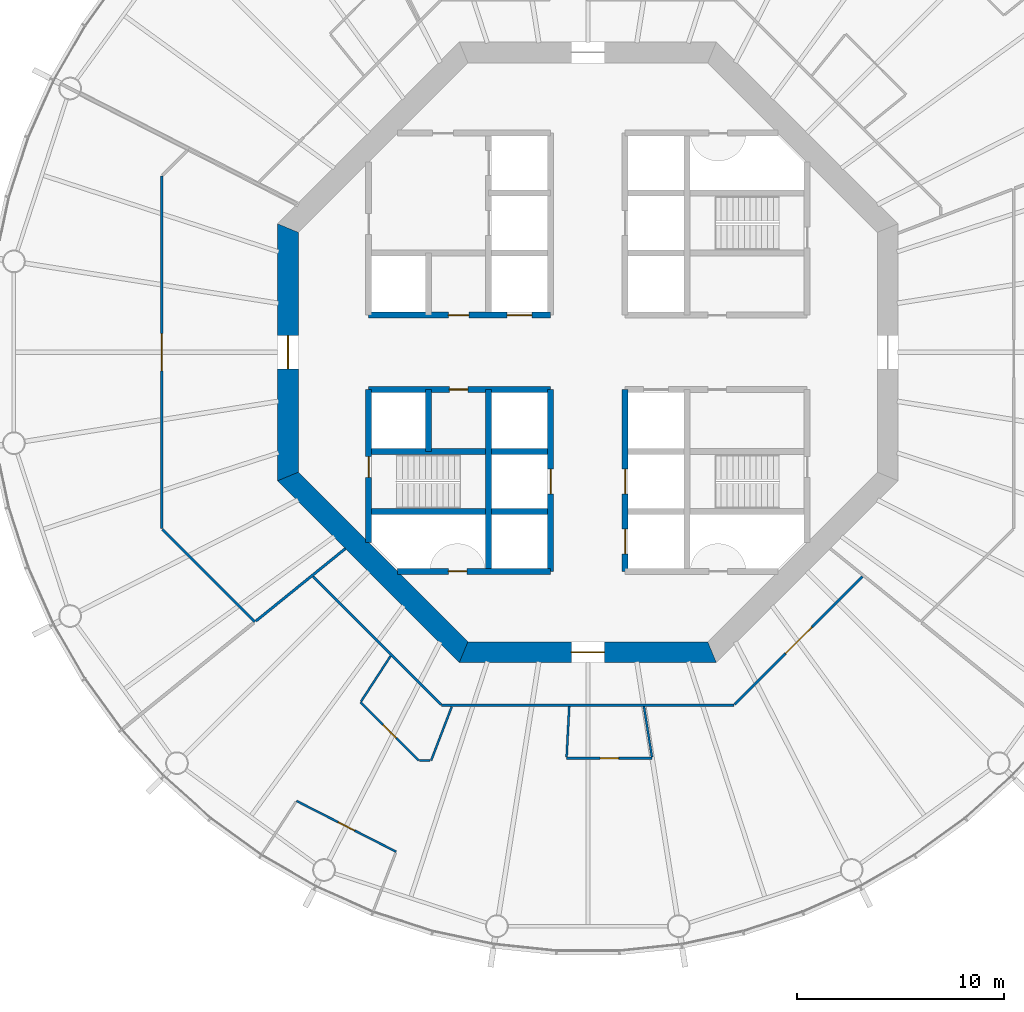
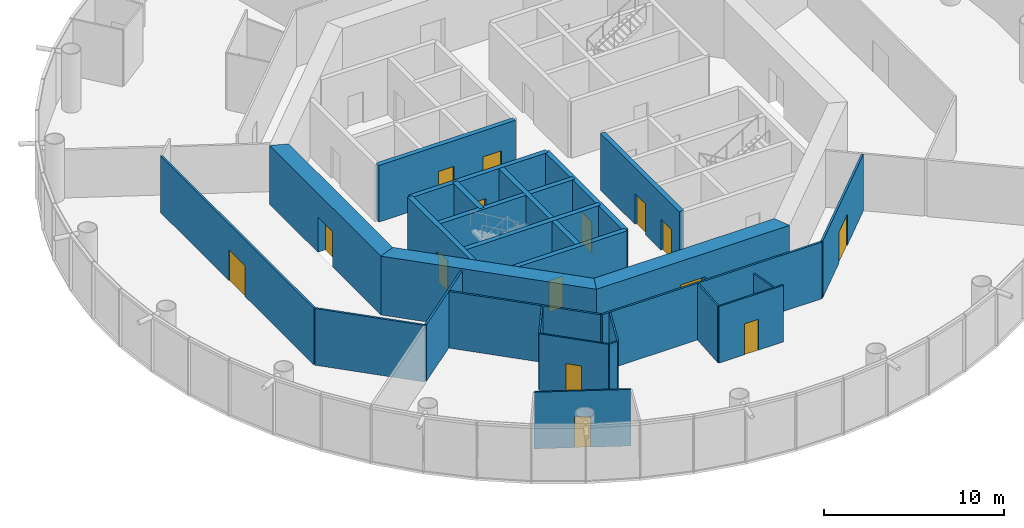
# One storey, part 3 of 12: 27 walls, 15 doors, 15 openings.
"""IFC4 building model written with IfcOpenShell, lengths in metres."""

from ifc_helpers import new_model, si_unit, direction, frame, frame_2d, origin, place, context, subcontext, project, spatial, polyline, rectangle, outline, extrude, material, layer, layer_set, type_object, element, fill, save


model = new_model("IFC4")

# Units and contexts
model_context = context("Model", 3, precision=1e-05, world=origin(), true_north=direction((0.0, 1.0)))
body_context = subcontext(model_context, "Body", "Model", "MODEL_VIEW")
ifc_project = project(units=[si_unit("LENGTHUNIT", "METRE"), si_unit("AREAUNIT", "SQUARE_METRE"), si_unit("VOLUMEUNIT", "CUBIC_METRE"), si_unit("PLANEANGLEUNIT", "RADIAN"), si_unit("MASSUNIT", "GRAM", prefix="KILO")], contexts=[model_context])

# Site, building, storey
site_placement = place(None, origin())
site = spatial("IfcSite", under=ifc_project, at=site_placement, CompositionType="ELEMENT")
building_placement = place(site_placement, origin())
building = spatial("IfcBuilding", under=site, at=building_placement, Name="Entoto Ring Tower", CompositionType="ELEMENT")
storey_placement = place(building_placement, frame((0.0, 0.0, 196.0)))
storey = spatial("IfcBuildingStorey", under=building, at=storey_placement, Name="L45", CompositionType="ELEMENT", Elevation=196.0)

# Wall, openings, doors
ifc_material_1 = material(Name="Concrete C40/50", Category="concrete")
ifc_layer_1 = layer(ifc_material_1, 0.300048828125)
ifc_layer_set_1 = layer_set([ifc_layer_1], Name="Concrete C40/50")
wall_type_1 = type_object("IfcWallType", Name="Core enclosure wall 300 mm reinforced concrete", PredefinedType="SOLIDWALL", material=ifc_layer_set_1)
wall_1_placement = place(storey_placement, frame((91.800048828125, 69.39990234375, 0.0), z_axis=(0.0, 0.0, 1.0), x_axis=(0.0, 1.0, 0.0)))
wall_1 = element("IfcWall", 1, at=wall_1_placement, inside=storey, type_object=wall_type_1, Name="wall-L45-005", PredefinedType="SOLIDWALL", context=body_context, shape_type="SweptSolid", body=[
    extrude(rectangle(XDim=8.800048828125, YDim=0.300048828125, at=frame_2d((4.39990234375, 0.0))), origin(), (0.0, 0.0, 1.0), 3.85009765625),
])
opening_1_placement = place(wall_1_placement, frame((3.75, 0.0, 0.0)))
opening_1 = element("IfcOpeningElement", 2, at=opening_1_placement, cuts=wall_1, Name="Opening LD", PredefinedType="OPENING", context=body_context, shape_type="SweptSolid", body=[
    extrude(rectangle(XDim=1.199951171875, YDim=2.10009765625, at=frame_2d((0.60009765625, 1.050048828125))), frame((0.0, 0.16015625, 0.0), z_axis=(0.0, -1.0, 0.0), x_axis=(1.0, 0.0, 0.0)), (0.0, 0.0, 1.0), 0.320068359375),
])
opening_2_placement = place(wall_1_placement, frame((0.85009765625, 0.0, 0.0)))
opening_2 = element("IfcOpeningElement", 3, at=opening_2_placement, cuts=wall_1, Name="Opening LD", PredefinedType="OPENING", context=body_context, shape_type="SweptSolid", body=[
    extrude(rectangle(XDim=1.199951171875, YDim=2.10009765625, at=frame_2d((0.60009765625, 1.050048828125))), frame((0.0, 0.16015625, 0.0), z_axis=(0.0, -1.0, 0.0), x_axis=(1.0, 0.0, 0.0)), (0.0, 0.0, 1.0), 0.320068359375),
])
ifc_material_2 = material(Name="Steel and glass door leaf", Category="steel")
ifc_layer_2 = layer(ifc_material_2, 0.050048828125)
ifc_layer_set_2 = layer_set([ifc_layer_2], Name="Steel and glass door leaf")
door_type_1 = type_object("IfcDoorType", Name="Landing door 1200 x 2100 sliding", OperationType="DOUBLE_DOOR_SLIDING", PredefinedType="DOOR", material=ifc_layer_set_2)
door_1_placement = place(opening_1_placement, origin())
door_1 = element("IfcDoor", 4, at=door_1_placement, inside=storey, type_object=door_type_1, Name="Landing door LB2-MR", OperationType="SLIDING_TO_RIGHT", OverallHeight=2.10009765625, OverallWidth=1.199951171875, PredefinedType="DOOR", context=body_context, shape_type="SweptSolid", body=[
    extrude(rectangle(XDim=1.199951171875, YDim=2.10009765625, at=frame_2d((0.60009765625, 1.050048828125))), frame((0.0, 0.02490234375, 0.0), z_axis=(0.0, -1.0, 0.0), x_axis=(1.0, 0.0, 0.0)), (0.0, 0.0, 1.0), 0.050048828125),
])
fill(opening_1, door_1)
door_2_placement = place(opening_2_placement, origin())
door_2 = element("IfcDoor", 5, at=door_2_placement, inside=storey, type_object=door_type_1, Name="Landing door LB3-MR", OperationType="SLIDING_TO_RIGHT", OverallHeight=2.10009765625, OverallWidth=1.199951171875, PredefinedType="DOOR", context=body_context, shape_type="SweptSolid", body=[
    extrude(rectangle(XDim=1.199951171875, YDim=2.10009765625, at=frame_2d((0.60009765625, 1.050048828125))), frame((0.0, 0.02490234375, 0.0), z_axis=(0.0, -1.0, 0.0), x_axis=(1.0, 0.0, 0.0)), (0.0, 0.0, 1.0), 0.050048828125),
])
fill(opening_2, door_2)

# Wall, opening, door
wall_2_placement = place(storey_placement, frame((88.199951171875, 69.39990234375, 0.0), z_axis=(0.0, 0.0, 1.0), x_axis=(0.0, 1.0, 0.0)))
wall_2 = element("IfcWall", 6, at=wall_2_placement, inside=storey, type_object=wall_type_1, Name="wall-L45-007", PredefinedType="SOLIDWALL", context=body_context, shape_type="SweptSolid", body=[
    extrude(rectangle(XDim=8.800048828125, YDim=0.300048828125, at=frame_2d((4.39990234375, 0.0))), origin(), (0.0, 0.0, 1.0), 3.85009765625),
])
opening_3_placement = place(wall_2_placement, frame((3.75, 0.0, 0.0)))
opening_3 = element("IfcOpeningElement", 7, at=opening_3_placement, cuts=wall_2, Name="Opening LD", PredefinedType="OPENING", context=body_context, shape_type="SweptSolid", body=[
    extrude(rectangle(XDim=1.199951171875, YDim=2.10009765625, at=frame_2d((0.60009765625, 1.050048828125))), frame((0.0, 0.16015625, 0.0), z_axis=(0.0, -1.0, 0.0), x_axis=(1.0, 0.0, 0.0)), (0.0, 0.0, 1.0), 0.320068359375),
])
door_3_placement = place(opening_3_placement, origin())
door_3 = element("IfcDoor", 8, at=door_3_placement, inside=storey, type_object=door_type_1, Name="Landing door LB4-MR", OperationType="SLIDING_TO_RIGHT", OverallHeight=2.10009765625, OverallWidth=1.199951171875, PredefinedType="DOOR", context=body_context, shape_type="SweptSolid", body=[
    extrude(rectangle(XDim=1.199951171875, YDim=2.10009765625, at=frame_2d((0.60009765625, 1.050048828125))), frame((0.0, 0.02490234375, 0.0), z_axis=(0.0, -1.0, 0.0), x_axis=(1.0, 0.0, 0.0)), (0.0, 0.0, 1.0), 0.050048828125),
])
fill(opening_3, door_3)

# Walls
wall_3_placement = place(storey_placement, frame((85.199951171875, 69.39990234375, 0.0), z_axis=(0.0, 0.0, 1.0), x_axis=(0.0, 1.0, 0.0)))
element("IfcWall", 9, at=wall_3_placement, inside=storey, type_object=wall_type_1, Name="wall-L45-009", PredefinedType="SOLIDWALL", context=body_context, shape_type="SweptSolid", body=[
    extrude(rectangle(XDim=8.800048828125, YDim=0.300048828125, at=frame_2d((4.39990234375, 0.0))), origin(), (0.0, 0.0, 1.0), 3.85009765625),
])
wall_4_placement = place(storey_placement, frame((82.300048828125, 75.199951171875, 0.0), z_axis=(0.0, 0.0, 1.0), x_axis=(0.0, 1.0, 0.0)))
element("IfcWall", 10, at=wall_4_placement, inside=storey, type_object=wall_type_1, Name="wall-L45-011", PredefinedType="SOLIDWALL", context=body_context, shape_type="SweptSolid", body=[
    extrude(rectangle(XDim=3.0, YDim=0.300048828125, at=frame_2d((1.5, 0.0))), origin(), (0.0, 0.0, 1.0), 3.85009765625),
])

# Wall, opening, door
wall_5_placement = place(storey_placement, frame((79.39990234375, 70.801025390625, 0.0), z_axis=(0.0, 0.0, 1.0), x_axis=(0.0, 1.0, 0.0)))
wall_5 = element("IfcWall", 11, at=wall_5_placement, inside=storey, type_object=wall_type_1, Name="wall-L45-013", PredefinedType="SOLIDWALL", context=body_context, shape_type="SweptSolid", body=[
    extrude(rectangle(XDim=7.39892578125, YDim=0.300048828125, at=frame_2d((3.699462890625, 0.0))), origin(), (0.0, 0.0, 1.0), 3.85009765625),
])
opening_4_placement = place(wall_5_placement, frame((3.14892578125, 0.0, 0.0)))
opening_4 = element("IfcOpeningElement", 12, at=opening_4_placement, cuts=wall_5, Name="Opening K-55", PredefinedType="OPENING", context=body_context, shape_type="SweptSolid", body=[
    extrude(rectangle(XDim=1.0, YDim=2.10009765625, at=frame_2d((0.5, 1.050048828125))), frame((0.0, 0.16015625, 0.0), z_axis=(0.0, -1.0, 0.0), x_axis=(1.0, 0.0, 0.0)), (0.0, 0.0, 1.0), 0.320068359375),
])
ifc_material_3 = material(Name="Steel door leaf, fire rated", Category="steel")
ifc_layer_3 = layer(ifc_material_3, 0.050048828125)
ifc_layer_set_3 = layer_set([ifc_layer_3], Name="Steel door leaf, fire rated")
door_type_2 = type_object("IfcDoorType", Name="Fire door FD60 1000 x 2100 single leaf", OperationType="NOTDEFINED", PredefinedType="DOOR", material=ifc_layer_set_3)
door_4_placement = place(opening_4_placement, frame((1.0, 0.0, 0.0), z_axis=(0.0, 0.0, 1.0), x_axis=(-1.0, 0.0, 0.0)))
door_4 = element("IfcDoor", 13, at=door_4_placement, inside=storey, type_object=door_type_2, Name="Door K-55", OperationType="SINGLE_SWING_LEFT", OverallHeight=2.10009765625, OverallWidth=1.0, PredefinedType="DOOR", context=body_context, shape_type="SweptSolid", body=[
    extrude(rectangle(XDim=1.0, YDim=2.10009765625, at=frame_2d((0.5, 1.050048828125))), frame((0.0, 0.02490234375, 0.0), z_axis=(0.0, -1.0, 0.0), x_axis=(1.0, 0.0, 0.0)), (0.0, 0.0, 1.0), 0.050048828125),
])
fill(opening_4, door_4)

wall_6_placement = place(storey_placement, frame((80.801025390625, 69.39990234375, 0.0), z_axis=(0.0, 0.0, 1.0), x_axis=(1.0, 0.0, 0.0)))
wall_6 = element("IfcWall", 14, at=wall_6_placement, inside=storey, type_object=wall_type_1, Name="wall-L45-015", PredefinedType="SOLIDWALL", context=body_context, shape_type="SweptSolid", body=[
    extrude(rectangle(XDim=7.39892578125, YDim=0.300048828125, at=frame_2d((3.699462890625, 0.0))), origin(), (0.0, 0.0, 1.0), 3.85009765625),
])
opening_5_placement = place(wall_6_placement, frame((2.448974609375, 0.0, 0.0)))
opening_5 = element("IfcOpeningElement", 15, at=opening_5_placement, cuts=wall_6, Name="Opening K-62", PredefinedType="OPENING", context=body_context, shape_type="SweptSolid", body=[
    extrude(rectangle(XDim=0.89990234375, YDim=2.10009765625, at=frame_2d((0.449951171875, 1.050048828125))), frame((0.0, 0.16015625, 0.0), z_axis=(0.0, -1.0, 0.0), x_axis=(1.0, 0.0, 0.0)), (0.0, 0.0, 1.0), 0.320068359375),
])
ifc_material_4 = material(Name="Steel door leaf, fire rated", Category="steel")
ifc_layer_4 = layer(ifc_material_4, 0.050048828125)
ifc_layer_set_4 = layer_set([ifc_layer_4], Name="Steel door leaf, fire rated")
door_type_3 = type_object("IfcDoorType", Name="Riser door FD60 900 x 2100 single leaf", OperationType="NOTDEFINED", PredefinedType="DOOR", material=ifc_layer_set_4)
door_5_placement = place(opening_5_placement, origin())
door_5 = element("IfcDoor", 16, at=door_5_placement, inside=storey, type_object=door_type_3, Name="Door K-62", OperationType="SINGLE_SWING_RIGHT", OverallHeight=2.10009765625, OverallWidth=0.89990234375, PredefinedType="DOOR", context=body_context, shape_type="SweptSolid", body=[
    extrude(rectangle(XDim=0.89990234375, YDim=2.10009765625, at=frame_2d((0.449951171875, 1.050048828125))), frame((0.0, 0.02490234375, 0.0), z_axis=(0.0, -1.0, 0.0), x_axis=(1.0, 0.0, 0.0)), (0.0, 0.0, 1.0), 0.050048828125),
])
fill(opening_5, door_5)

# Walls
for number, where, z_axis, x_axis, name in (
    (17, (79.39990234375, 72.300048828125, 0.0), (0.0, 0.0, 1.0), (1.0, 0.0, 0.0), "wall-L45-017"),
    (18, (79.39990234375, 75.199951171875, 0.0), (0.0, 0.0, 1.0), (1.0, 0.0, 0.0), "wall-L45-019"),
):
    element("IfcWall", number, at=place(storey_placement, frame(where, z_axis=z_axis, x_axis=x_axis)), inside=storey, type_object=wall_type_1, Name=name, PredefinedType="SOLIDWALL", context=body_context, shape_type="SweptSolid", body=[
        extrude(rectangle(XDim=8.800048828125, YDim=0.300048828125, at=frame_2d((4.39990234375, 0.0))), origin(), (0.0, 0.0, 1.0), 3.85009765625),
    ])

# Wall, opening, door
wall_7_placement = place(storey_placement, frame((79.39990234375, 78.199951171875, 0.0), z_axis=(0.0, 0.0, 1.0), x_axis=(1.0, 0.0, 0.0)))
wall_7 = element("IfcWall", 19, at=wall_7_placement, inside=storey, type_object=wall_type_1, Name="wall-L45-021", PredefinedType="SOLIDWALL", context=body_context, shape_type="SweptSolid", body=[
    extrude(rectangle(XDim=8.800048828125, YDim=0.300048828125, at=frame_2d((4.39990234375, 0.0))), origin(), (0.0, 0.0, 1.0), 3.85009765625),
])
opening_6_placement = place(wall_7_placement, frame((3.89990234375, 0.0, 0.0)))
opening_6 = element("IfcOpeningElement", 20, at=opening_6_placement, cuts=wall_7, Name="Opening K-14", PredefinedType="OPENING", context=body_context, shape_type="SweptSolid", body=[
    extrude(rectangle(XDim=0.89990234375, YDim=2.10009765625, at=frame_2d((0.449951171875, 1.050048828125))), frame((0.0, 0.16015625, 0.0), z_axis=(0.0, -1.0, 0.0), x_axis=(1.0, 0.0, 0.0)), (0.0, 0.0, 1.0), 0.320068359375),
])
ifc_material_5 = material(Name="Steel door leaf, fire rated", Category="steel")
ifc_layer_5 = layer(ifc_material_5, 0.050048828125)
ifc_layer_set_5 = layer_set([ifc_layer_5], Name="Steel door leaf, fire rated")
door_type_4 = type_object("IfcDoorType", Name="Core door 900 x 2100 single leaf", OperationType="NOTDEFINED", PredefinedType="DOOR", material=ifc_layer_set_5)
door_6_placement = place(opening_6_placement, frame((0.89990234375, 0.0, 0.0), z_axis=(0.0, 0.0, 1.0), x_axis=(-1.0, 0.0, 0.0)))
door_6 = element("IfcDoor", 21, at=door_6_placement, inside=storey, type_object=door_type_4, Name="Door K-14", OperationType="SINGLE_SWING_LEFT", OverallHeight=2.10009765625, OverallWidth=0.89990234375, PredefinedType="DOOR", context=body_context, shape_type="SweptSolid", body=[
    extrude(rectangle(XDim=0.89990234375, YDim=2.10009765625, at=frame_2d((0.449951171875, 1.050048828125))), frame((0.0, 0.02490234375, 0.0), z_axis=(0.0, -1.0, 0.0), x_axis=(1.0, 0.0, 0.0)), (0.0, 0.0, 1.0), 0.050048828125),
])
fill(opening_6, door_6)

# Wall, openings, doors
wall_8_placement = place(storey_placement, frame((79.39990234375, 81.800048828125, 0.0), z_axis=(0.0, 0.0, 1.0), x_axis=(1.0, 0.0, 0.0)))
wall_8 = element("IfcWall", 22, at=wall_8_placement, inside=storey, type_object=wall_type_1, Name="wall-L45-023", PredefinedType="SOLIDWALL", context=body_context, shape_type="SweptSolid", body=[
    extrude(rectangle(XDim=8.800048828125, YDim=0.300048828125, at=frame_2d((4.39990234375, 0.0))), origin(), (0.0, 0.0, 1.0), 3.85009765625),
])
opening_7_placement = place(wall_8_placement, frame((6.699951171875, 0.0, 0.0)))
opening_7 = element("IfcOpeningElement", 23, at=opening_7_placement, cuts=wall_8, Name="Opening LD", PredefinedType="OPENING", context=body_context, shape_type="SweptSolid", body=[
    extrude(rectangle(XDim=1.199951171875, YDim=2.10009765625, at=frame_2d((0.60009765625, 1.050048828125))), frame((0.0, 0.16015625, 0.0), z_axis=(0.0, -1.0, 0.0), x_axis=(1.0, 0.0, 0.0)), (0.0, 0.0, 1.0), 0.320068359375),
])
opening_8_placement = place(wall_8_placement, frame((3.85009765625, 0.0, 0.0)))
opening_8 = element("IfcOpeningElement", 24, at=opening_8_placement, cuts=wall_8, Name="Opening K-13", PredefinedType="OPENING", context=body_context, shape_type="SweptSolid", body=[
    extrude(rectangle(XDim=1.0, YDim=2.10009765625, at=frame_2d((0.5, 1.050048828125))), frame((0.0, 0.16015625, 0.0), z_axis=(0.0, -1.0, 0.0), x_axis=(1.0, 0.0, 0.0)), (0.0, 0.0, 1.0), 0.320068359375),
])
ifc_material_6 = material(Name="Steel door leaf, fire rated", Category="steel")
ifc_layer_6 = layer(ifc_material_6, 0.050048828125)
ifc_layer_set_6 = layer_set([ifc_layer_6], Name="Steel door leaf, fire rated")
door_type_5 = type_object("IfcDoorType", Name="Accessible door 1000 x 2100 single leaf", OperationType="NOTDEFINED", PredefinedType="DOOR", material=ifc_layer_set_6)
door_7_placement = place(opening_8_placement, origin())
door_7 = element("IfcDoor", 25, at=door_7_placement, inside=storey, type_object=door_type_5, Name="Door K-13", OperationType="SINGLE_SWING_LEFT", OverallHeight=2.10009765625, OverallWidth=1.0, PredefinedType="DOOR", context=body_context, shape_type="SweptSolid", body=[
    extrude(rectangle(XDim=1.0, YDim=2.10009765625, at=frame_2d((0.5, 1.050048828125))), frame((0.0, 0.02490234375, 0.0), z_axis=(0.0, -1.0, 0.0), x_axis=(1.0, 0.0, 0.0)), (0.0, 0.0, 1.0), 0.050048828125),
])
fill(opening_8, door_7)
door_8_placement = place(opening_7_placement, origin())
door_8 = element("IfcDoor", 26, at=door_8_placement, inside=storey, type_object=door_type_1, Name="Landing door LB5-MR", OperationType="SLIDING_TO_LEFT", OverallHeight=2.10009765625, OverallWidth=1.199951171875, PredefinedType="DOOR", context=body_context, shape_type="SweptSolid", body=[
    extrude(rectangle(XDim=1.199951171875, YDim=2.10009765625, at=frame_2d((0.60009765625, 1.050048828125))), frame((0.0, 0.02490234375, 0.0), z_axis=(0.0, -1.0, 0.0), x_axis=(1.0, 0.0, 0.0)), (0.0, 0.0, 1.0), 0.050048828125),
])
fill(opening_7, door_8)

# Wall, opening, door
ifc_material_7 = material(Name="Concrete C50/60", Category="concrete")
ifc_layer_7 = layer(ifc_material_7, 1.0)
ifc_layer_set_7 = layer_set([ifc_layer_7], Name="Concrete C50/60")
wall_type_2 = type_object("IfcWallType", Name="Core shear wall 1000 mm reinforced concrete C50/60", PredefinedType="SHEAR", material=ifc_layer_set_7)
wall_9_placement = place(storey_placement, frame((75.5, 86.006103515625, 0.0), z_axis=(0.0, 0.0, 1.0), x_axis=(0.0, -1.0, 0.0)))
wall_9 = element("IfcWall", 27, at=wall_9_placement, inside=storey, type_object=wall_type_2, Name="wall-L45-core-4", PredefinedType="SHEAR", context=body_context, shape_type="SweptSolid", body=[
    extrude(outline(polyline([(-0.20703125, -0.5), (12.21923828125, -0.5), (11.80517578125, 0.5), (0.20703125, 0.5), (-0.20703125, -0.5)])), origin(), (0.0, 0.0, 1.0), 4.0),
])
opening_9_placement = place(wall_9_placement, frame((5.2060546875, 0.0, 0.0)))
opening_9 = element("IfcOpeningElement", 28, at=opening_9_placement, cuts=wall_9, Name="Opening K-03", PredefinedType="OPENING", context=body_context, shape_type="SweptSolid", body=[
    extrude(rectangle(XDim=1.60009765625, YDim=2.39990234375, at=frame_2d((0.800048828125, 1.199951171875))), frame((0.0, 0.510009765625, 0.0), z_axis=(0.0, -1.0, 0.0), x_axis=(1.0, 0.0, 0.0)), (0.0, 0.0, 1.0), 1.02001953125),
])
ifc_material_8 = material(Name="Steel door leaf, fire rated", Category="steel")
ifc_layer_8 = layer(ifc_material_8, 0.050048828125)
ifc_layer_set_8 = layer_set([ifc_layer_8], Name="Steel door leaf, fire rated")
door_type_6 = type_object("IfcDoorType", Name="Entrance door FD60 1600 x 2400 double leaf", OperationType="DOUBLE_DOOR_SINGLE_SWING", PredefinedType="DOOR", material=ifc_layer_set_8)
door_9_placement = place(opening_9_placement, origin())
door_9 = element("IfcDoor", 29, at=door_9_placement, inside=storey, type_object=door_type_6, Name="Entrance door K-03", OperationType="DOUBLE_DOOR_SINGLE_SWING", OverallHeight=2.39990234375, OverallWidth=1.60009765625, PredefinedType="DOOR", context=body_context, shape_type="SweptSolid", body=[
    extrude(rectangle(XDim=1.60009765625, YDim=2.39990234375, at=frame_2d((0.800048828125, 1.199951171875))), frame((0.0, 0.02490234375, 0.0), z_axis=(0.0, -1.0, 0.0), x_axis=(1.0, 0.0, 0.0)), (0.0, 0.0, 1.0), 0.050048828125),
])
fill(opening_9, door_9)

# Wall
wall_10_placement = place(storey_placement, frame((75.5, 73.993896484375, 0.0), z_axis=(0.0, 0.0, 1.0), x_axis=(0.707106781187, -0.707106781187, 0.0)))
element("IfcWall", 30, at=wall_10_placement, inside=storey, type_object=wall_type_2, Name="wall-L45-core-5", PredefinedType="SHEAR", context=body_context, shape_type="SweptSolid", body=[
    extrude(outline(polyline([(-0.20703125, -0.5), (12.21923828125, -0.5), (11.80517578125, 0.5), (0.20703125, 0.5), (-0.20703125, -0.5)])), origin(), (0.0, 0.0, 1.0), 4.0),
])

# Wall, opening, door
wall_11_placement = place(storey_placement, frame((83.993896484375, 65.5, 0.0), z_axis=(0.0, 0.0, 1.0), x_axis=(1.0, 0.0, 0.0)))
wall_11 = element("IfcWall", 31, at=wall_11_placement, inside=storey, type_object=wall_type_2, Name="wall-L45-core-6", PredefinedType="SHEAR", context=body_context, shape_type="SweptSolid", body=[
    extrude(outline(polyline([(-0.20703125, -0.5), (12.21923828125, -0.5), (11.80517578125, 0.5), (0.20703125, 0.5), (-0.20703125, -0.5)])), origin(), (0.0, 0.0, 1.0), 4.0),
])
opening_10_placement = place(wall_11_placement, frame((5.2060546875, 0.0, 0.0)))
opening_10 = element("IfcOpeningElement", 32, at=opening_10_placement, cuts=wall_11, Name="Opening K-04", PredefinedType="OPENING", context=body_context, shape_type="SweptSolid", body=[
    extrude(rectangle(XDim=1.60009765625, YDim=2.39990234375, at=frame_2d((0.800048828125, 1.199951171875))), frame((0.0, 0.510009765625, 0.0), z_axis=(0.0, -1.0, 0.0), x_axis=(1.0, 0.0, 0.0)), (0.0, 0.0, 1.0), 1.02001953125),
])
door_10_placement = place(opening_10_placement, origin())
door_10 = element("IfcDoor", 33, at=door_10_placement, inside=storey, type_object=door_type_6, Name="Entrance door K-04", OperationType="DOUBLE_DOOR_SINGLE_SWING", OverallHeight=2.39990234375, OverallWidth=1.60009765625, PredefinedType="DOOR", context=body_context, shape_type="SweptSolid", body=[
    extrude(rectangle(XDim=1.60009765625, YDim=2.39990234375, at=frame_2d((0.800048828125, 1.199951171875))), frame((0.0, 0.02490234375, 0.0), z_axis=(0.0, -1.0, 0.0), x_axis=(1.0, 0.0, 0.0)), (0.0, 0.0, 1.0), 0.050048828125),
])
fill(opening_10, door_10)

ifc_material_9 = material(Name="Fire-resisting plasterboard on steel studs", Category="steel")
ifc_layer_9 = layer(ifc_material_9, 0.125)
ifc_layer_set_9 = layer_set([ifc_layer_9], Name="Fire-resisting plasterboard on steel studs")
wall_type_3 = type_object("IfcWallType", Name="Corridor wall 125 mm one-hour plasterboard on steel studs", PredefinedType="PARTITIONING", material=ifc_layer_set_9)
wall_12_placement = place(storey_placement, frame((69.39990234375, 71.46728515625, 0.0), z_axis=(0.0, 0.0, 1.0), x_axis=(0.0, 1.0, 0.0)))
wall_12 = element("IfcWall", 34, at=wall_12_placement, inside=storey, type_object=wall_type_3, Name="partition-L45-001", PredefinedType="PARTITIONING", context=body_context, shape_type="SweptSolid", body=[
    extrude(rectangle(XDim=17.0654296875, YDim=0.125, at=frame_2d((8.53271484375, 0.0))), origin(), (0.0, 0.0, 1.0), 3.85009765625),
])
opening_11_placement = place(wall_12_placement, frame((7.6328125, 0.0, 0.0)))
opening_11 = element("IfcOpeningElement", 35, at=opening_11_placement, cuts=wall_12, Name="Opening A19-D02", PredefinedType="OPENING", context=body_context, shape_type="SweptSolid", body=[
    extrude(rectangle(XDim=1.800048828125, YDim=2.10009765625, at=frame_2d((0.89990234375, 1.050048828125))), frame((0.0, 0.072509765625, 0.0), z_axis=(0.0, -1.0, 0.0), x_axis=(1.0, 0.0, 0.0)), (0.0, 0.0, 1.0), 0.14501953125),
])
ifc_material_10 = material(Name="Fire-resisting timber door set", Category="wood")
door_type_7 = type_object("IfcDoorType", Name="Door 1800 x 2100 double leaf FD30S fire door", OperationType="DOUBLE_DOOR_SINGLE_SWING", PredefinedType="DOOR", material=ifc_material_10)
door_11_placement = place(opening_11_placement, origin())
door_11 = element("IfcDoor", 36, at=door_11_placement, inside=storey, type_object=door_type_7, Name="Door A19-D02", OperationType="DOUBLE_DOOR_SINGLE_SWING", OverallHeight=2.10009765625, OverallWidth=1.800048828125, PredefinedType="DOOR", context=body_context, shape_type="SweptSolid", body=[
    extrude(rectangle(XDim=1.800048828125, YDim=2.10009765625, at=frame_2d((0.89990234375, 1.050048828125))), frame((0.0, 0.02490234375, 0.0), z_axis=(0.0, -1.0, 0.0), x_axis=(1.0, 0.0, 0.0)), (0.0, 0.0, 1.0), 0.050048828125),
])
fill(opening_11, door_11)

# Walls
wall_13_placement = place(storey_placement, frame((82.9326171875, 62.9375, 0.0), z_axis=(0.0, 0.0, 1.0), x_axis=(1.0, 0.0, 0.0)))
element("IfcWall", 37, at=wall_13_placement, inside=storey, type_object=wall_type_3, Name="partition-L45-003", PredefinedType="PARTITIONING", context=body_context, shape_type="SweptSolid", body=[
    extrude(rectangle(XDim=14.134765625, YDim=0.125, at=frame_2d((7.0673828125, 0.0))), origin(), (0.0, 0.0, 1.0), 3.85009765625),
])
wall_14_placement = place(storey_placement, frame((82.9013671875, 62.968505859375, 0.0), z_axis=(0.0, 0.0, 1.0), x_axis=(-0.707092826187, 0.70712073591, 0.0)))
element("IfcWall", 38, at=wall_14_placement, inside=storey, type_object=wall_type_3, Name="partition-L45-007", PredefinedType="PARTITIONING", context=body_context, shape_type="SweptSolid", body=[
    extrude(rectangle(XDim=8.74755859375, YDim=0.125, at=frame_2d((4.373779296875, 0.0))), origin(), (0.0, 0.0, 1.0), 3.85009765625),
])

# Wall, opening, door
wall_15_placement = place(storey_placement, frame((97.0986328125, 62.968505859375, 0.0), z_axis=(0.0, 0.0, 1.0), x_axis=(0.707092826187, 0.70712073591, 0.0)))
wall_15 = element("IfcWall", 39, at=wall_15_placement, inside=storey, type_object=wall_type_3, Name="partition-L45-008", PredefinedType="PARTITIONING", context=body_context, shape_type="SweptSolid", body=[
    extrude(rectangle(XDim=8.74755859375, YDim=0.125, at=frame_2d((4.373779296875, 0.0))), origin(), (0.0, 0.0, 1.0), 3.85009765625),
])
opening_12_placement = place(wall_15_placement, frame((3.486572265625, 0.0, 0.0)))
opening_12 = element("IfcOpeningElement", 40, at=opening_12_placement, cuts=wall_15, Name="Opening A19-D10", PredefinedType="OPENING", context=body_context, shape_type="SweptSolid", body=[
    extrude(rectangle(XDim=1.800048828125, YDim=2.10009765625, at=frame_2d((0.89990234375, 1.050048828125))), frame((0.0, 0.072509765625, 0.0), z_axis=(0.0, -1.0, 0.0), x_axis=(1.0, 0.0, 0.0)), (0.0, 0.0, 1.0), 0.14501953125),
])
door_12_placement = place(opening_12_placement, frame((1.800048828125, 0.0, 0.0), z_axis=(0.0, 0.0, 1.0), x_axis=(-1.0, 0.0, 0.0)))
door_12 = element("IfcDoor", 41, at=door_12_placement, inside=storey, type_object=door_type_7, Name="Door A19-D10", OperationType="DOUBLE_DOOR_SINGLE_SWING", OverallHeight=2.10009765625, OverallWidth=1.800048828125, PredefinedType="DOOR", context=body_context, shape_type="SweptSolid", body=[
    extrude(rectangle(XDim=1.800048828125, YDim=2.10009765625, at=frame_2d((0.89990234375, 1.050048828125))), frame((0.0, 0.02490234375, 0.0), z_axis=(0.0, -1.0, 0.0), x_axis=(1.0, 0.0, 0.0)), (0.0, 0.0, 1.0), 0.050048828125),
])
fill(opening_12, door_12)

# Walls
wall_16_placement = place(storey_placement, frame((73.902587890625, 66.964599609375, 0.0), z_axis=(0.0, 0.0, 1.0), x_axis=(-0.707106781187, 0.707106781187, 0.0)))
element("IfcWall", 42, at=wall_16_placement, inside=storey, type_object=wall_type_3, Name="partition-L45-009", PredefinedType="PARTITIONING", context=body_context, shape_type="SweptSolid", body=[
    extrude(rectangle(XDim=6.323486328125, YDim=0.125, at=frame_2d((3.16162109375, 0.0))), origin(), (0.0, 0.0, 1.0), 3.85009765625),
])
wall_17_placement = place(storey_placement, frame((73.950927734375, 67.003662109375, 0.0), z_axis=(0.0, 0.0, 1.0), x_axis=(0.777129489168, 0.629340732089, 0.0)))
element("IfcWall", 43, at=wall_17_placement, inside=storey, type_object=wall_type_3, Name="partition-L45-013", PredefinedType="PARTITIONING", context=body_context, shape_type="SweptSolid", body=[
    extrude(rectangle(XDim=5.56884765625, YDim=0.125, at=frame_2d((2.784423828125, 0.0))), origin(), (0.0, 0.0, 1.0), 3.85009765625),
])

# Wall, opening, door
ifc_material_11 = material(Name="Plasterboard on steel studs", Category="steel")
ifc_layer_10 = layer(ifc_material_11, 0.10009765625)
ifc_layer_set_10 = layer_set([ifc_layer_10], Name="Plasterboard on steel studs")
wall_type_4 = type_object("IfcWallType", Name="Partition 100 mm plasterboard on steel studs", PredefinedType="PARTITIONING", material=ifc_layer_set_10)
wall_18_placement = place(storey_placement, frame((80.72900390625, 55.848388671875, 0.0), z_axis=(0.0, 0.0, 1.0), x_axis=(-0.891006767453, 0.453990022306, 0.0)))
wall_18 = element("IfcWall", 44, at=wall_18_placement, inside=storey, type_object=wall_type_4, Name="partition-L45-023", PredefinedType="PARTITIONING", context=body_context, shape_type="SweptSolid", body=[
    extrude(rectangle(XDim=5.408203125, YDim=0.10009765625, at=frame_2d((2.7041015625, 0.0))), origin(), (0.0, 0.0, 1.0), 3.85009765625),
])
opening_13_placement = place(wall_18_placement, frame((2.254150390625, 0.0, 0.0)))
opening_13 = element("IfcOpeningElement", 45, at=opening_13_placement, cuts=wall_18, Name="Opening A19-D13", PredefinedType="OPENING", context=body_context, shape_type="SweptSolid", body=[
    extrude(rectangle(XDim=0.89990234375, YDim=2.10009765625, at=frame_2d((0.449951171875, 1.050048828125))), frame((0.0, 0.06005859375, 0.0), z_axis=(0.0, -1.0, 0.0), x_axis=(1.0, 0.0, 0.0)), (0.0, 0.0, 1.0), 0.1201171875),
])
ifc_material_12 = material(Name="Veneered timber door leaf in timber frame", Category="wood")
door_type_8 = type_object("IfcDoorType", Name="Door 900 x 2100 single leaf timber veneer", OperationType="NOTDEFINED", PredefinedType="DOOR", material=ifc_material_12)
door_13_placement = place(opening_13_placement, origin())
door_13 = element("IfcDoor", 46, at=door_13_placement, inside=storey, type_object=door_type_8, Name="Door A19-D13", OperationType="SINGLE_SWING_RIGHT", OverallHeight=2.10009765625, OverallWidth=0.89990234375, PredefinedType="DOOR", context=body_context, shape_type="SweptSolid", body=[
    extrude(rectangle(XDim=0.89990234375, YDim=2.10009765625, at=frame_2d((0.449951171875, 1.050048828125))), frame((0.0, 0.02490234375, 0.0), z_axis=(0.0, -1.0, 0.0), x_axis=(1.0, 0.0, 0.0)), (0.0, 0.0, 1.0), 0.050048828125),
])
fill(opening_13, door_13)

wall_19_placement = place(storey_placement, frame((88.97119140625, 60.367431640625, 0.0), z_axis=(0.0, 0.0, 1.0), x_axis=(1.0, 0.0, 0.0)))
wall_19 = element("IfcWall", 47, at=wall_19_placement, inside=storey, type_object=wall_type_4, Name="partition-L45-027", PredefinedType="PARTITIONING", context=body_context, shape_type="SweptSolid", body=[
    extrude(rectangle(XDim=4.138427734375, YDim=0.10009765625, at=frame_2d((2.0693359375, 0.0))), origin(), (0.0, 0.0, 1.0), 3.85009765625),
])
opening_14_placement = place(wall_19_placement, frame((1.619140625, 0.0, 0.0)))
opening_14 = element("IfcOpeningElement", 48, at=opening_14_placement, cuts=wall_19, Name="Opening A19-D12", PredefinedType="OPENING", context=body_context, shape_type="SweptSolid", body=[
    extrude(rectangle(XDim=0.89990234375, YDim=2.10009765625, at=frame_2d((0.449951171875, 1.050048828125))), frame((0.0, 0.06005859375, 0.0), z_axis=(0.0, -1.0, 0.0), x_axis=(1.0, 0.0, 0.0)), (0.0, 0.0, 1.0), 0.1201171875),
])
door_14_placement = place(opening_14_placement, origin())
door_14 = element("IfcDoor", 49, at=door_14_placement, inside=storey, type_object=door_type_8, Name="Door A19-D12", OperationType="SINGLE_SWING_RIGHT", OverallHeight=2.10009765625, OverallWidth=0.89990234375, PredefinedType="DOOR", context=body_context, shape_type="SweptSolid", body=[
    extrude(rectangle(XDim=0.89990234375, YDim=2.10009765625, at=frame_2d((0.449951171875, 1.050048828125))), frame((0.0, 0.02490234375, 0.0), z_axis=(0.0, -1.0, 0.0), x_axis=(1.0, 0.0, 0.0)), (0.0, 0.0, 1.0), 0.050048828125),
])
fill(opening_14, door_14)

wall_20_placement = place(storey_placement, frame((81.822509765625, 60.257568359375, 0.0), z_axis=(0.0, 0.0, 1.0), x_axis=(-0.70716810077, 0.707045456285, 0.0)))
wall_20 = element("IfcWall", 50, at=wall_20_placement, inside=storey, type_object=wall_type_4, Name="partition-L45-028", PredefinedType="PARTITIONING", context=body_context, shape_type="SweptSolid", body=[
    extrude(rectangle(XDim=3.981201171875, YDim=0.10009765625, at=frame_2d((1.99072265625, 0.0))), origin(), (0.0, 0.0, 1.0), 3.85009765625),
])
opening_15_placement = place(wall_20_placement, frame((1.54052734375, 0.0, 0.0)))
opening_15 = element("IfcOpeningElement", 51, at=opening_15_placement, cuts=wall_20, Name="Opening A19-D11", PredefinedType="OPENING", context=body_context, shape_type="SweptSolid", body=[
    extrude(rectangle(XDim=0.89990234375, YDim=2.10009765625, at=frame_2d((0.449951171875, 1.050048828125))), frame((0.0, 0.06005859375, 0.0), z_axis=(0.0, -1.0, 0.0), x_axis=(1.0, 0.0, 0.0)), (0.0, 0.0, 1.0), 0.1201171875),
])
door_15_placement = place(opening_15_placement, frame((0.89990234375, 0.0, 0.0), z_axis=(0.0, 0.0, 1.0), x_axis=(-1.0, 0.0, 0.0)))
door_15 = element("IfcDoor", 52, at=door_15_placement, inside=storey, type_object=door_type_8, Name="Door A19-D11", OperationType="SINGLE_SWING_LEFT", OverallHeight=2.10009765625, OverallWidth=0.89990234375, PredefinedType="DOOR", context=body_context, shape_type="SweptSolid", body=[
    extrude(rectangle(XDim=0.89990234375, YDim=2.10009765625, at=frame_2d((0.449951171875, 1.050048828125))), frame((0.0, 0.02490234375, 0.0), z_axis=(0.0, -1.0, 0.0), x_axis=(1.0, 0.0, 0.0)), (0.0, 0.0, 1.0), 0.050048828125),
])
fill(opening_15, door_15)

# Walls
wall_21_placement = place(storey_placement, frame((82.421630859375, 60.257568359375, 0.0), z_axis=(0.0, 0.0, 1.0), x_axis=(0.358338586349, 0.933591697442, 0.0)))
element("IfcWall", 53, at=wall_21_placement, inside=storey, type_object=wall_type_4, Name="partition-L45-035", PredefinedType="PARTITIONING", context=body_context, shape_type="SweptSolid", body=[
    extrude(rectangle(XDim=2.784423828125, YDim=0.10009765625, at=frame_2d((1.39208984375, 0.0))), origin(), (0.0, 0.0, 1.0), 3.85009765625),
])
wall_22_placement = place(storey_placement, frame((79.03369140625, 63.113525390625, 0.0), z_axis=(0.0, 0.0, 1.0), x_axis=(0.544670214794, 0.838650318736, 0.0)))
element("IfcWall", 54, at=wall_22_placement, inside=storey, type_object=wall_type_4, Name="partition-L45-038", PredefinedType="PARTITIONING", context=body_context, shape_type="SweptSolid", body=[
    extrude(rectangle(XDim=2.61669921875, YDim=0.10009765625, at=frame_2d((1.308349609375, 0.0))), origin(), (0.0, 0.0, 1.0), 3.85009765625),
])
wall_23_placement = place(storey_placement, frame((88.973876953125, 60.420166015625, 0.0), z_axis=(0.0, 0.0, 1.0), x_axis=(0.052297907583, 0.998631528073, 0.0)))
element("IfcWall", 55, at=wall_23_placement, inside=storey, type_object=wall_type_4, Name="partition-L45-045", PredefinedType="PARTITIONING", context=body_context, shape_type="SweptSolid", body=[
    extrude(rectangle(XDim=2.45556640625, YDim=0.10009765625, at=frame_2d((1.227783203125, 0.0))), origin(), (0.0, 0.0, 1.0), 3.85009765625),
])
wall_24_placement = place(storey_placement, frame((81.857421875, 60.257568359375, 0.0), z_axis=(0.0, 0.0, 1.0), x_axis=(1.0, 0.0, 0.0)))
element("IfcWall", 56, at=wall_24_placement, inside=storey, type_object=wall_type_4, Name="partition-L45-046", PredefinedType="PARTITIONING", context=body_context, shape_type="SweptSolid", body=[
    extrude(rectangle(XDim=0.517578125, YDim=0.10009765625, at=frame_2d((0.2587890625, 0.0))), origin(), (0.0, 0.0, 1.0), 3.85009765625),
])
ifc_material_13 = material(Name="Plasterboard on steel studs", Category="steel")
ifc_layer_11 = layer(ifc_material_13, 0.10009765625)
ifc_layer_set_11 = layer_set([ifc_layer_11], Name="Plasterboard on steel studs")
wall_type_5 = type_object("IfcWallType", Name="Partition 100 mm plasterboard on steel studs, 3250 mm high", PredefinedType="PARTITIONING", material=ifc_layer_set_11)
wall_25_placement = place(storey_placement, frame((93.100341796875, 60.42529296875, 0.0), z_axis=(0.0, 0.0, 1.0), x_axis=(-0.156418938865, 0.987690799575, 0.0)))
element("IfcWall", 57, at=wall_25_placement, inside=storey, type_object=wall_type_5, Name="partition-L45-044", PredefinedType="PARTITIONING", context=body_context, shape_type="SweptSolid", body=[
    extrude(rectangle(XDim=2.472412109375, YDim=0.10009765625, at=frame_2d((1.236328125, 0.0))), origin(), (0.0, 0.0, 1.0), 3.25),
])

save(model, "model.ifc")
